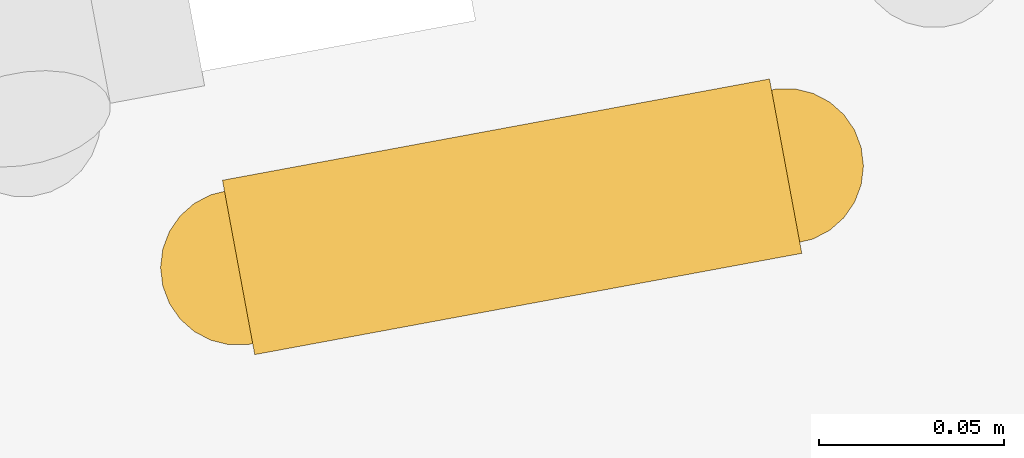
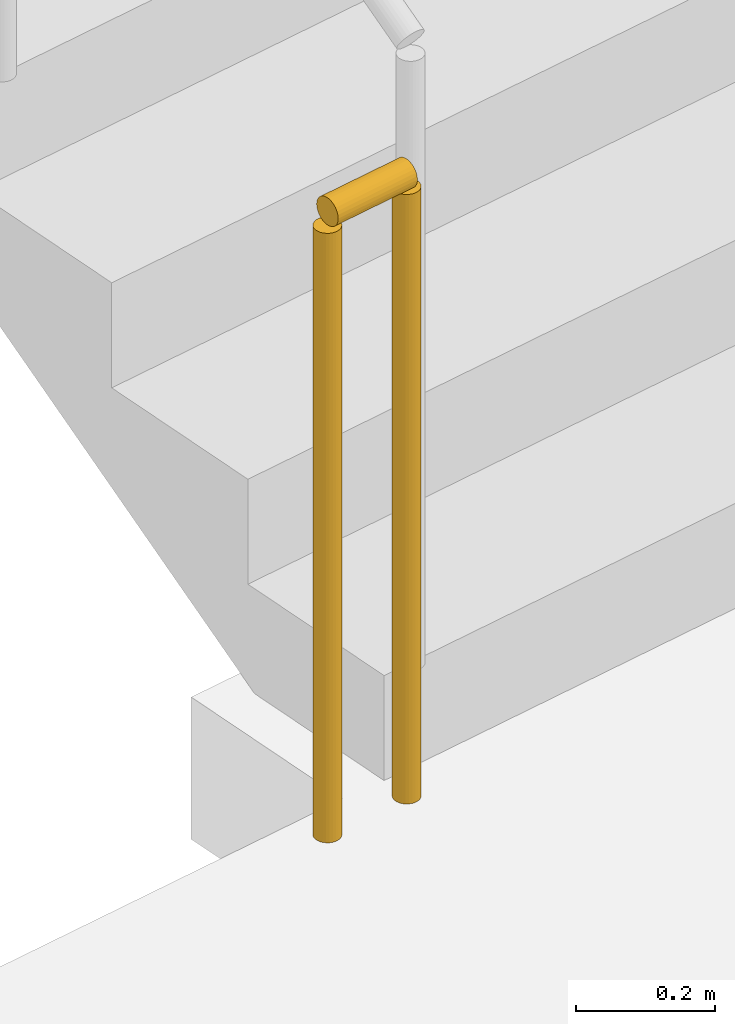
# One storey, part 123 of 152: 1 railing.
"""IFC4 building model written with IfcOpenShell, lengths in metres."""

from ifc_helpers import new_model, si_unit, direction, frame, origin, origin_2d, place, context, subcontext, project, spatial, circle, extrude, material, type_object, element, save


model = new_model("IFC4")

# Units and contexts
model_context = context("Model", 3, precision=1e-05, world=origin(), true_north=direction((0.0, 1.0)))
body_context = subcontext(model_context, "Body", "Model", "MODEL_VIEW")
ifc_project = project(units=[si_unit("LENGTHUNIT", "METRE"), si_unit("AREAUNIT", "SQUARE_METRE"), si_unit("VOLUMEUNIT", "CUBIC_METRE"), si_unit("PLANEANGLEUNIT", "RADIAN"), si_unit("MASSUNIT", "GRAM", prefix="KILO")], contexts=[model_context])

# Site, building, storey
site_placement = place(None, origin())
site = spatial("IfcSite", under=ifc_project, at=site_placement, CompositionType="ELEMENT")
building_placement = place(site_placement, origin())
building = spatial("IfcBuilding", under=site, at=building_placement, Name="Mphavela Belvedere Stadium", CompositionType="ELEMENT")
storey_placement = place(building_placement, frame((0.0, 0.0, 5.39990234375)))
storey = spatial("IfcBuildingStorey", under=building, at=storey_placement, Name="L01", CompositionType="ELEMENT", Elevation=5.39990234375)

# Railing
ifc_material = material(Name="Painted galvanised steel stair guardrail", Category="steel")
railing_type = type_object("IfcRailingType", Name="RAL-GUARD-1120", PredefinedType="GUARDRAIL", material=ifc_material)
railing_placement = place(storey_placement, frame((18.22998046875, 62.853271484375, 0.0)))
element("IfcRailing", 1, at=railing_placement, inside=storey, type_object=railing_type, Name="L01 ST-C09 stair guard 4", PredefinedType="GUARDRAIL", context=body_context, shape_type="SweptSolid", body=[
    extrude(circle(Radius=0.02392578125, at=origin_2d()), frame((0.0, 0.0, 1.09619140625), z_axis=(-0.983292780963, -0.182031060277, 0.0), x_axis=(0.182031060277, -0.983292780963, 0.0)), (0.0, 0.0, 1.0), 0.150146484375),
    extrude(circle(Radius=0.02099609375, at=origin_2d()), origin(), (0.0, 0.0, 1.0), 1.072021484375),
    extrude(circle(Radius=0.02099609375, at=origin_2d()), frame((-0.147705078125, -0.02734375, 0.0)), (0.0, 0.0, 1.0), 1.072021484375),
])

save(model, "model.ifc")
